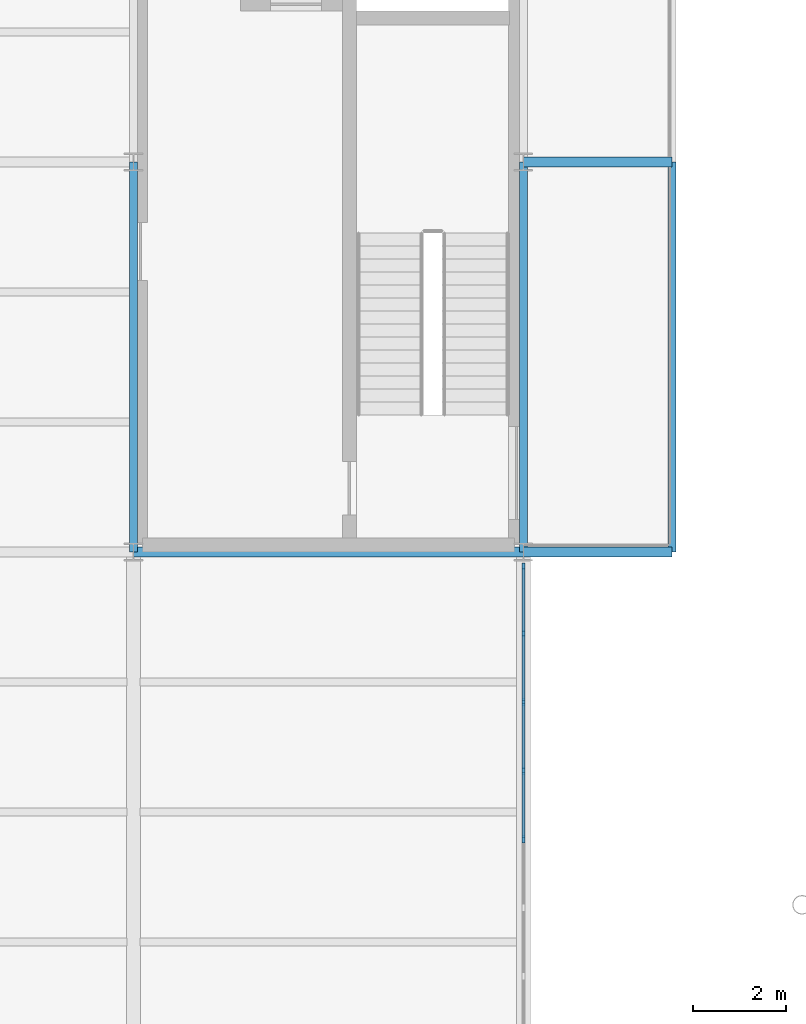
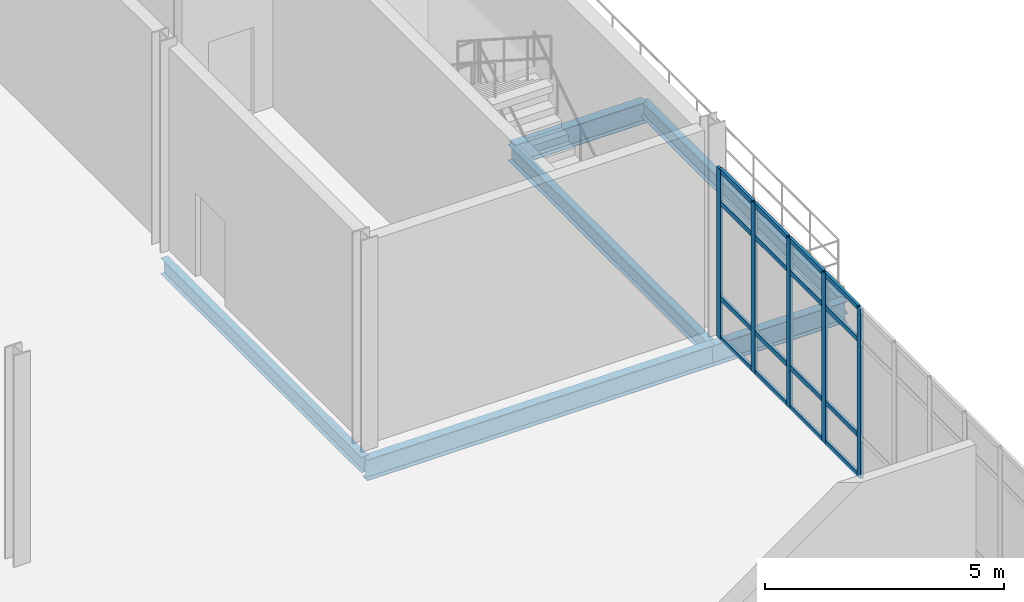
# One storey, part 43 of 111: 21 members, 6 beams, 1 element without a shape of its own.
"""IFC4 building model written with IfcOpenShell, lengths in metres."""

from ifc_helpers import new_model, si_unit, direction, frame, origin, origin_2d, place, context, subcontext, project, spatial, rectangle, i_section, extrude, material, layer, layer_set, material_profile, profile_set, type_object, element, aggregate, save


model = new_model("IFC4")

# Units and contexts
model_context = context("Model", 3, precision=1e-05, world=origin(), true_north=direction((0.0, 1.0)))
body_context = subcontext(model_context, "Body", "Model", "MODEL_VIEW")
ifc_project = project(units=[si_unit("LENGTHUNIT", "METRE"), si_unit("AREAUNIT", "SQUARE_METRE"), si_unit("VOLUMEUNIT", "CUBIC_METRE"), si_unit("PLANEANGLEUNIT", "RADIAN"), si_unit("MASSUNIT", "GRAM", prefix="KILO"), si_unit("THERMODYNAMICTEMPERATUREUNIT", "KELVIN"), si_unit("POWERUNIT", "WATT")], contexts=[model_context])

# Site, building, storey
site_placement = place(None, origin())
site = spatial("IfcSite", under=ifc_project, at=site_placement, CompositionType="ELEMENT")
building_placement = place(site_placement, origin())
building = spatial("IfcBuilding", under=site, at=building_placement, Name="Tembeka Court Mobility Hub", CompositionType="ELEMENT")
storey_placement = place(building_placement, origin())
storey = spatial("IfcBuildingStorey", under=building, at=storey_placement, Name="L00", CompositionType="ELEMENT", Elevation=0.0)

# Beams
ifc_material_1 = material(Name="Steel S355", Category="steel")
ifc_material_profile_1 = material_profile(ifc_material_1, i_section(OverallWidth=0.177978515625, OverallDepth=0.406005859375, WebThickness=0.0078125, FlangeThickness=0.0126953125, FilletRadius=0.01025390625, at=origin_2d()), Name="UKB 406x178x60")
ifc_profile_set_1 = profile_set([ifc_material_profile_1], Name="Steel S355")
beam_type_1 = type_object("IfcBeamType", Name="BM-B02", PredefinedType="BEAM", material=ifc_profile_set_1)
for number, where, z_axis, x_axis, name in (
    (1, (84.0, 38.39990234375, -0.48291015625), (0.0, 1.0, 0.0), (-1.0, 0.0, 0.0), "Beam B02 (BM-L00-Y0250)"),
    (2, (92.39990234375, 38.39990234375, -0.52294921875), (0.0, 1.0, 0.0), (-1.0, 0.0, 0.0), "Beam B02 (BM-L00-Y0261)"),
    (3, (95.60009765625, 38.39990234375, -0.52294921875), (0.0, 1.0, 0.0), (-1.0, 0.0, 0.0), "Beam B02 (BM-L00-Y0269)"),
):
    element("IfcBeam", number, at=place(storey_placement, frame(where, z_axis=z_axis, x_axis=x_axis)), inside=storey, type_object=beam_type_1, Name=name, PredefinedType="BEAM", context=body_context, shape_type="SweptSolid", body=[
        extrude(i_section(OverallWidth=0.177978515625, OverallDepth=0.406005859375, WebThickness=0.0078125, FlangeThickness=0.0126953125, FilletRadius=0.01025390625, at=origin_2d()), origin(), (0.0, 0.0, 1.0), 8.400146484375),
    ])
ifc_material_profile_2 = material_profile(ifc_material_1, i_section(OverallWidth=0.2099609375, OverallDepth=0.537109375, WebThickness=0.0107421875, FlangeThickness=0.017333984375, FilletRadius=0.0126953125, at=origin_2d()), Name="UKB 533x210x101")
ifc_profile_set_2 = profile_set([ifc_material_profile_2], Name="Steel S355")
beam_type_2 = type_object("IfcBeamType", Name="BM-G03", PredefinedType="USERDEFINED", material=ifc_profile_set_2)
beam_placement = place(storey_placement, frame((84.0, 38.39990234375, -0.58837890625), z_axis=(1.0, 0.0, 0.0), x_axis=(0.0, 1.0, 0.0)))
element("IfcBeam", 4, at=beam_placement, inside=storey, type_object=beam_type_2, Name="Beam G03 (BM-L00-X0051)", ObjectType="GIRDER", PredefinedType="USERDEFINED", context=body_context, shape_type="SweptSolid", body=[
    extrude(i_section(OverallWidth=0.2099609375, OverallDepth=0.537109375, WebThickness=0.0107421875, FlangeThickness=0.017333984375, FilletRadius=0.0126953125, at=origin_2d()), origin(), (0.0, 0.0, 1.0), 8.39990234375),
])
for number, where, z_axis, x_axis, name in (
    (5, (92.39990234375, 38.39990234375, -0.58837890625), (1.0, 0.0, 0.0), (0.0, 1.0, 0.0), "Beam G03 (BM-L00-X0052)"),
    (6, (92.39990234375, 46.800048828125, -0.58837890625), (1.0, 0.0, 0.0), (0.0, 1.0, 0.0), "Beam G03 (BM-L00-X0068)"),
):
    element("IfcBeam", number, at=place(storey_placement, frame(where, z_axis=z_axis, x_axis=x_axis)), inside=storey, type_object=beam_type_2, Name=name, ObjectType="GIRDER", PredefinedType="USERDEFINED", context=body_context, shape_type="SweptSolid", body=[
        extrude(i_section(OverallWidth=0.2099609375, OverallDepth=0.537109375, WebThickness=0.0107421875, FlangeThickness=0.017333984375, FilletRadius=0.0126953125, at=origin_2d()), origin(), (0.0, 0.0, 1.0), 3.2001953125),
    ])

# Curtain wall, members
ifc_material_2 = material(Name="Anodised aluminium 6063-T6", Category="aluminium")
ifc_layer = layer(ifc_material_2, 0.159912109375)
ifc_layer_set = layer_set([ifc_layer], Name="Anodised aluminium 6063-T6")
curtain_wall_type = type_object("IfcCurtainWallType", Name="CW-SYS19", PredefinedType="USERDEFINED", material=ifc_layer_set)
curtain_wall_placement = place(storey_placement, origin())
curtain_wall = element("IfcCurtainWall", 7, at=curtain_wall_placement, inside=storey, type_object=curtain_wall_type, Name="Unitised curtain wall CW19 (CW-L00-027)", ObjectType="UNITISED GLAZING", PredefinedType="USERDEFINED")
ifc_material_profile_3 = material_profile(ifc_material_2, rectangle(XDim=0.06494140625, YDim=0.159912109375, at=origin_2d()), Name="ALU-MUL 65x160")
ifc_profile_set_3 = profile_set([ifc_material_profile_3], Name="Anodised aluminium 6063-T6")
member_type_1 = type_object("IfcMemberType", Name="CW-MUL01", PredefinedType="MULLION", material=ifc_profile_set_3)
member_1_placement = place(storey_placement, frame((92.39990234375, 32.214599609375, 0.0), z_axis=(0.0, 0.0, 1.0), x_axis=(-1.0, 0.0, 0.0)))
member_1 = element("IfcMember", 8, at=member_1_placement, type_object=member_type_1, Name="CW19 mullion 8", PredefinedType="MULLION", context=body_context, shape_type="SweptSolid", body=[
    extrude(rectangle(XDim=0.06494140625, YDim=0.159912109375, at=origin_2d()), origin(), (0.0, 0.0, 1.0), 4.3349609375),
])
member_2_placement = place(storey_placement, frame((92.39990234375, 33.69091796875, 0.0), z_axis=(0.0, 0.0, 1.0), x_axis=(-1.0, 0.0, 0.0)))
member_2 = element("IfcMember", 9, at=member_2_placement, type_object=member_type_1, Name="CW19 mullion 9", PredefinedType="MULLION", context=body_context, shape_type="SweptSolid", body=[
    extrude(rectangle(XDim=0.06494140625, YDim=0.159912109375, at=origin_2d()), origin(), (0.0, 0.0, 1.0), 4.3349609375),
])
member_3_placement = place(storey_placement, frame((92.39990234375, 35.167236328125, 0.0), z_axis=(0.0, 0.0, 1.0), x_axis=(-1.0, 0.0, 0.0)))
member_3 = element("IfcMember", 10, at=member_3_placement, type_object=member_type_1, Name="CW19 mullion 10", PredefinedType="MULLION", context=body_context, shape_type="SweptSolid", body=[
    extrude(rectangle(XDim=0.06494140625, YDim=0.159912109375, at=origin_2d()), origin(), (0.0, 0.0, 1.0), 4.3349609375),
])
member_4_placement = place(storey_placement, frame((92.39990234375, 36.6435546875, 0.0), z_axis=(0.0, 0.0, 1.0), x_axis=(-1.0, 0.0, 0.0)))
member_4 = element("IfcMember", 11, at=member_4_placement, type_object=member_type_1, Name="CW19 mullion 11", PredefinedType="MULLION", context=body_context, shape_type="SweptSolid", body=[
    extrude(rectangle(XDim=0.06494140625, YDim=0.159912109375, at=origin_2d()), origin(), (0.0, 0.0, 1.0), 4.3349609375),
])
member_5_placement = place(storey_placement, frame((92.39990234375, 38.08740234375, 0.0), z_axis=(0.0, 0.0, 1.0), x_axis=(-1.0, 0.0, 0.0)))
member_5 = element("IfcMember", 12, at=member_5_placement, type_object=member_type_1, Name="CW19 mullion 12", PredefinedType="MULLION", context=body_context, shape_type="SweptSolid", body=[
    extrude(rectangle(XDim=0.06494140625, YDim=0.159912109375, at=origin_2d()), origin(), (0.0, 0.0, 1.0), 4.3349609375),
])
ifc_material_profile_4 = material_profile(ifc_material_2, rectangle(XDim=0.06494140625, YDim=0.1201171875, at=origin_2d()), Name="ALU-TRN 65x120")
ifc_profile_set_4 = profile_set([ifc_material_profile_4], Name="Anodised aluminium 6063-T6")
member_type_2 = type_object("IfcMemberType", Name="CW-TRN01", PredefinedType="USERDEFINED", material=ifc_profile_set_4)
member_6_placement = place(storey_placement, frame((92.39990234375, 32.2470703125, 0.032470703125), z_axis=(0.0, 1.0, 0.0), x_axis=(-1.0, 0.0, 0.0)))
member_6 = element("IfcMember", 13, at=member_6_placement, type_object=member_type_2, Name="CW19 transom 8.1", ObjectType="TRANSOM", PredefinedType="USERDEFINED", context=body_context, shape_type="SweptSolid", body=[
    extrude(rectangle(XDim=0.06494140625, YDim=0.1201171875, at=origin_2d()), origin(), (0.0, 0.0, 1.0), 1.411376953125),
])
member_7_placement = place(storey_placement, frame((92.39990234375, 32.2470703125, 1.050048828125), z_axis=(0.0, 1.0, 0.0), x_axis=(-1.0, 0.0, 0.0)))
member_7 = element("IfcMember", 14, at=member_7_placement, type_object=member_type_2, Name="CW19 transom 8.2", ObjectType="TRANSOM", PredefinedType="USERDEFINED", context=body_context, shape_type="SweptSolid", body=[
    extrude(rectangle(XDim=0.06494140625, YDim=0.1201171875, at=origin_2d()), origin(), (0.0, 0.0, 1.0), 1.411376953125),
])
member_8_placement = place(storey_placement, frame((92.39990234375, 32.2470703125, 3.485107421875), z_axis=(0.0, 1.0, 0.0), x_axis=(-1.0, 0.0, 0.0)))
member_8 = element("IfcMember", 15, at=member_8_placement, type_object=member_type_2, Name="CW19 transom 8.3", ObjectType="TRANSOM", PredefinedType="USERDEFINED", context=body_context, shape_type="SweptSolid", body=[
    extrude(rectangle(XDim=0.06494140625, YDim=0.1201171875, at=origin_2d()), origin(), (0.0, 0.0, 1.0), 1.411376953125),
])
member_9_placement = place(storey_placement, frame((92.39990234375, 32.2470703125, 4.302490234375), z_axis=(0.0, 1.0, 0.0), x_axis=(-1.0, 0.0, 0.0)))
member_9 = element("IfcMember", 16, at=member_9_placement, type_object=member_type_2, Name="CW19 transom 8.4", ObjectType="TRANSOM", PredefinedType="USERDEFINED", context=body_context, shape_type="SweptSolid", body=[
    extrude(rectangle(XDim=0.06494140625, YDim=0.1201171875, at=origin_2d()), origin(), (0.0, 0.0, 1.0), 1.411376953125),
])
member_10_placement = place(storey_placement, frame((92.39990234375, 33.723388671875, 0.032470703125), z_axis=(0.0, 1.0, 0.0), x_axis=(-1.0, 0.0, 0.0)))
member_10 = element("IfcMember", 17, at=member_10_placement, type_object=member_type_2, Name="CW19 transom 9.1", ObjectType="TRANSOM", PredefinedType="USERDEFINED", context=body_context, shape_type="SweptSolid", body=[
    extrude(rectangle(XDim=0.06494140625, YDim=0.1201171875, at=origin_2d()), origin(), (0.0, 0.0, 1.0), 1.411376953125),
])
member_11_placement = place(storey_placement, frame((92.39990234375, 33.723388671875, 1.050048828125), z_axis=(0.0, 1.0, 0.0), x_axis=(-1.0, 0.0, 0.0)))
member_11 = element("IfcMember", 18, at=member_11_placement, type_object=member_type_2, Name="CW19 transom 9.2", ObjectType="TRANSOM", PredefinedType="USERDEFINED", context=body_context, shape_type="SweptSolid", body=[
    extrude(rectangle(XDim=0.06494140625, YDim=0.1201171875, at=origin_2d()), origin(), (0.0, 0.0, 1.0), 1.411376953125),
])
member_12_placement = place(storey_placement, frame((92.39990234375, 33.723388671875, 3.485107421875), z_axis=(0.0, 1.0, 0.0), x_axis=(-1.0, 0.0, 0.0)))
member_12 = element("IfcMember", 19, at=member_12_placement, type_object=member_type_2, Name="CW19 transom 9.3", ObjectType="TRANSOM", PredefinedType="USERDEFINED", context=body_context, shape_type="SweptSolid", body=[
    extrude(rectangle(XDim=0.06494140625, YDim=0.1201171875, at=origin_2d()), origin(), (0.0, 0.0, 1.0), 1.411376953125),
])
member_13_placement = place(storey_placement, frame((92.39990234375, 33.723388671875, 4.302490234375), z_axis=(0.0, 1.0, 0.0), x_axis=(-1.0, 0.0, 0.0)))
member_13 = element("IfcMember", 20, at=member_13_placement, type_object=member_type_2, Name="CW19 transom 9.4", ObjectType="TRANSOM", PredefinedType="USERDEFINED", context=body_context, shape_type="SweptSolid", body=[
    extrude(rectangle(XDim=0.06494140625, YDim=0.1201171875, at=origin_2d()), origin(), (0.0, 0.0, 1.0), 1.411376953125),
])
member_14_placement = place(storey_placement, frame((92.39990234375, 35.19970703125, 0.032470703125), z_axis=(0.0, 1.0, 0.0), x_axis=(-1.0, 0.0, 0.0)))
member_14 = element("IfcMember", 21, at=member_14_placement, type_object=member_type_2, Name="CW19 transom 10.1", ObjectType="TRANSOM", PredefinedType="USERDEFINED", context=body_context, shape_type="SweptSolid", body=[
    extrude(rectangle(XDim=0.06494140625, YDim=0.1201171875, at=origin_2d()), origin(), (0.0, 0.0, 1.0), 1.411376953125),
])
member_15_placement = place(storey_placement, frame((92.39990234375, 35.19970703125, 1.050048828125), z_axis=(0.0, 1.0, 0.0), x_axis=(-1.0, 0.0, 0.0)))
member_15 = element("IfcMember", 22, at=member_15_placement, type_object=member_type_2, Name="CW19 transom 10.2", ObjectType="TRANSOM", PredefinedType="USERDEFINED", context=body_context, shape_type="SweptSolid", body=[
    extrude(rectangle(XDim=0.06494140625, YDim=0.1201171875, at=origin_2d()), origin(), (0.0, 0.0, 1.0), 1.411376953125),
])
member_16_placement = place(storey_placement, frame((92.39990234375, 35.19970703125, 3.485107421875), z_axis=(0.0, 1.0, 0.0), x_axis=(-1.0, 0.0, 0.0)))
member_16 = element("IfcMember", 23, at=member_16_placement, type_object=member_type_2, Name="CW19 transom 10.3", ObjectType="TRANSOM", PredefinedType="USERDEFINED", context=body_context, shape_type="SweptSolid", body=[
    extrude(rectangle(XDim=0.06494140625, YDim=0.1201171875, at=origin_2d()), origin(), (0.0, 0.0, 1.0), 1.411376953125),
])
member_17_placement = place(storey_placement, frame((92.39990234375, 35.19970703125, 4.302490234375), z_axis=(0.0, 1.0, 0.0), x_axis=(-1.0, 0.0, 0.0)))
member_17 = element("IfcMember", 24, at=member_17_placement, type_object=member_type_2, Name="CW19 transom 10.4", ObjectType="TRANSOM", PredefinedType="USERDEFINED", context=body_context, shape_type="SweptSolid", body=[
    extrude(rectangle(XDim=0.06494140625, YDim=0.1201171875, at=origin_2d()), origin(), (0.0, 0.0, 1.0), 1.411376953125),
])
member_18_placement = place(storey_placement, frame((92.39990234375, 36.676025390625, 0.032470703125), z_axis=(0.0, 1.0, 0.0), x_axis=(-1.0, 0.0, 0.0)))
member_18 = element("IfcMember", 25, at=member_18_placement, type_object=member_type_2, Name="CW19 transom 11.1", ObjectType="TRANSOM", PredefinedType="USERDEFINED", context=body_context, shape_type="SweptSolid", body=[
    extrude(rectangle(XDim=0.06494140625, YDim=0.1201171875, at=origin_2d()), origin(), (0.0, 0.0, 1.0), 1.37890625),
])
member_19_placement = place(storey_placement, frame((92.39990234375, 36.676025390625, 1.050048828125), z_axis=(0.0, 1.0, 0.0), x_axis=(-1.0, 0.0, 0.0)))
member_19 = element("IfcMember", 26, at=member_19_placement, type_object=member_type_2, Name="CW19 transom 11.2", ObjectType="TRANSOM", PredefinedType="USERDEFINED", context=body_context, shape_type="SweptSolid", body=[
    extrude(rectangle(XDim=0.06494140625, YDim=0.1201171875, at=origin_2d()), origin(), (0.0, 0.0, 1.0), 1.37890625),
])
member_20_placement = place(storey_placement, frame((92.39990234375, 36.676025390625, 3.485107421875), z_axis=(0.0, 1.0, 0.0), x_axis=(-1.0, 0.0, 0.0)))
member_20 = element("IfcMember", 27, at=member_20_placement, type_object=member_type_2, Name="CW19 transom 11.3", ObjectType="TRANSOM", PredefinedType="USERDEFINED", context=body_context, shape_type="SweptSolid", body=[
    extrude(rectangle(XDim=0.06494140625, YDim=0.1201171875, at=origin_2d()), origin(), (0.0, 0.0, 1.0), 1.37890625),
])
member_21_placement = place(storey_placement, frame((92.39990234375, 36.676025390625, 4.302490234375), z_axis=(0.0, 1.0, 0.0), x_axis=(-1.0, 0.0, 0.0)))
member_21 = element("IfcMember", 28, at=member_21_placement, type_object=member_type_2, Name="CW19 transom 11.4", ObjectType="TRANSOM", PredefinedType="USERDEFINED", context=body_context, shape_type="SweptSolid", body=[
    extrude(rectangle(XDim=0.06494140625, YDim=0.1201171875, at=origin_2d()), origin(), (0.0, 0.0, 1.0), 1.37890625),
])
aggregate(curtain_wall, [member_1, member_2, member_3, member_4, member_5, member_6, member_7, member_8, member_9, member_10, member_11, member_12, member_13, member_14, member_15, member_16, member_17, member_18, member_19, member_20, member_21])

save(model, "model.ifc")
